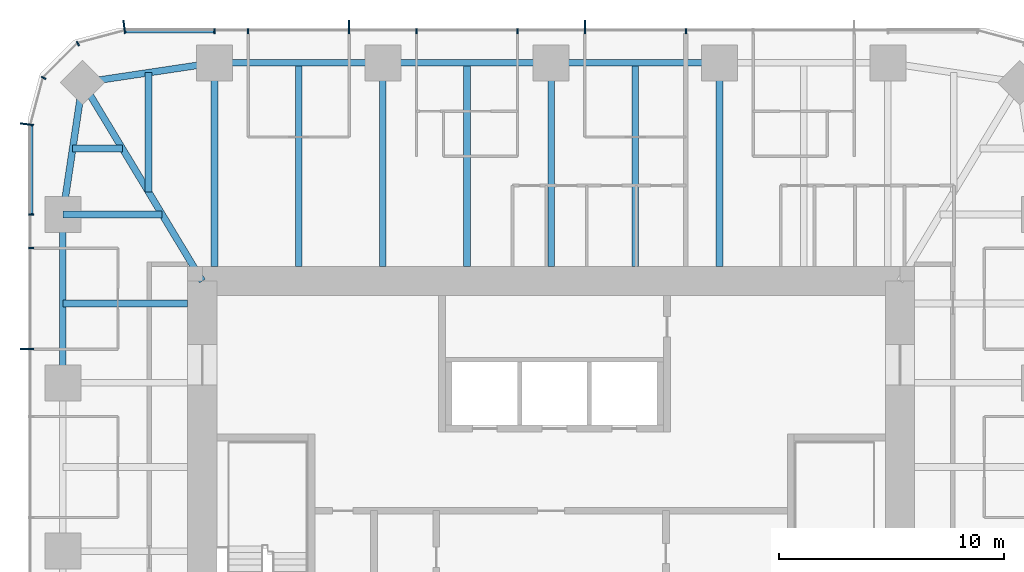
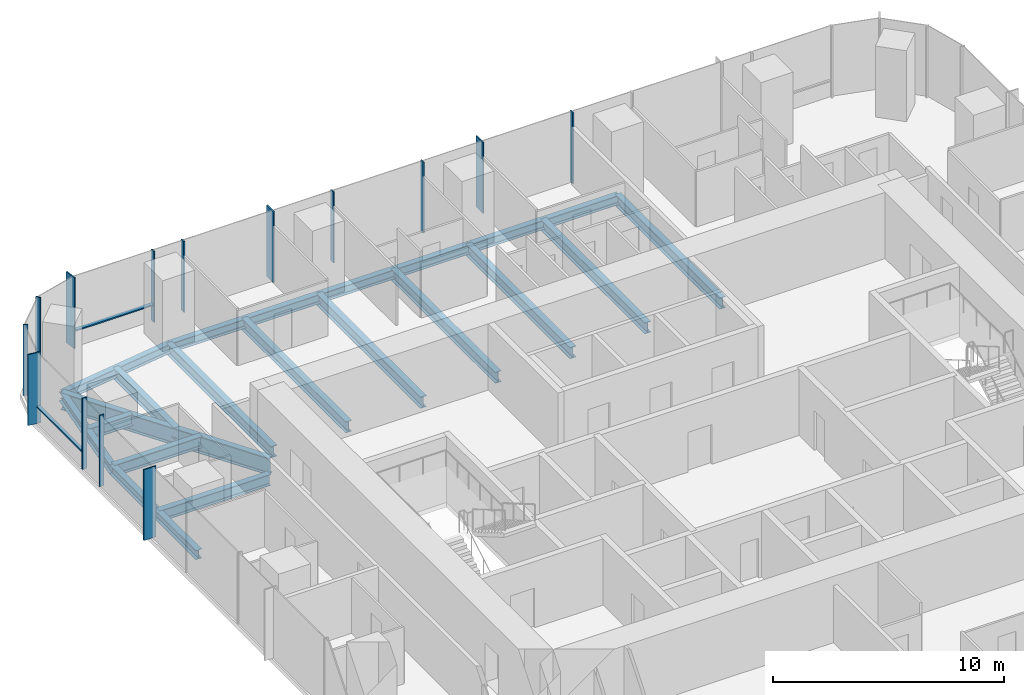
# One storey, part 5 of 12: 18 beams, 16 members, 3 elements without a shape of their own.
"""IFC4 building model written with IfcOpenShell, lengths in metres."""

from ifc_helpers import new_model, si_unit, direction, frame, origin, origin_2d, place, context, subcontext, project, spatial, rectangle, i_section, extrude, material, material_profile, profile_set, type_object, element, aggregate, save


model = new_model("IFC4")

# Units and contexts
model_context = context("Model", 3, precision=1e-05, world=origin(), true_north=direction((0.0, 1.0)))
body_context = subcontext(model_context, "Body", "Model", "MODEL_VIEW")
ifc_project = project(units=[si_unit("LENGTHUNIT", "METRE"), si_unit("AREAUNIT", "SQUARE_METRE"), si_unit("VOLUMEUNIT", "CUBIC_METRE"), si_unit("PLANEANGLEUNIT", "RADIAN"), si_unit("MASSUNIT", "GRAM", prefix="KILO")], contexts=[model_context])

# Site, building, storey
site_placement = place(None, origin())
site = spatial("IfcSite", under=ifc_project, at=site_placement, CompositionType="ELEMENT")
building_placement = place(site_placement, origin())
building = spatial("IfcBuilding", under=site, at=building_placement, Name="Khuree Lantern Residences", CompositionType="ELEMENT")
storey_placement = place(building_placement, frame((0.0, 0.0, 330.75)))
storey = spatial("IfcBuildingStorey", under=building, at=storey_placement, Name="L83", CompositionType="ELEMENT", Elevation=330.75)

# Beams
ifc_material_1 = material(Name="Steel S355", Category="steel")
ifc_material_profile_1 = material_profile(ifc_material_1, i_section(OverallWidth=0.300048828125, OverallDepth=0.590087890625, WebThickness=0.012939453125, FlangeThickness=0.02490234375, FilletRadius=0.027099609375, at=origin_2d()), Name="HE 600 A")
ifc_profile_set_1 = profile_set([ifc_material_profile_1], Name="Steel S355")
beam_type_1 = type_object("IfcBeamType", Name="B-44 SECONDARY BEAM HE 600 A", PredefinedType="BEAM", material=ifc_profile_set_1)
for number, where, z_axis, x_axis, name in (
    (1, (-11.219970703125, 21.699951171875, -0.544921875), (0.0, -1.0, 0.0), (1.0, 0.0, 0.0), "Secondary beam N1"),
    (2, (-3.739990234375, 21.699951171875, -0.544921875), (0.0, -1.0, 0.0), (1.0, 0.0, 0.0), "Secondary beam N2"),
    (3, (3.739990234375, 21.699951171875, -0.544921875), (0.0, -1.0, 0.0), (1.0, 0.0, 0.0), "Secondary beam N3"),
):
    element("IfcBeam", number, at=place(storey_placement, frame(where, z_axis=z_axis, x_axis=x_axis)), inside=storey, type_object=beam_type_1, Name=name, PredefinedType="BEAM", context=body_context, shape_type="SweptSolid", body=[
        extrude(i_section(OverallWidth=0.300048828125, OverallDepth=0.590087890625, WebThickness=0.012939453125, FlangeThickness=0.02490234375, FilletRadius=0.027099609375, at=origin_2d()), origin(), (0.0, 0.0, 1.0), 9.050048828125),
    ])
beam_1_placement = place(storey_placement, frame((-21.699951171875, 11.0, -0.544921875), z_axis=(1.0, 0.0, 0.0), x_axis=(0.0, 1.0, 0.0)))
element("IfcBeam", 4, at=beam_1_placement, inside=storey, type_object=beam_type_1, Name="Secondary beam W5", PredefinedType="BEAM", context=body_context, shape_type="SweptSolid", body=[
    extrude(i_section(OverallWidth=0.300048828125, OverallDepth=0.590087890625, WebThickness=0.012939453125, FlangeThickness=0.02490234375, FilletRadius=0.027099609375, at=origin_2d()), origin(), (0.0, 0.0, 1.0), 5.550048828125),
])
beam_2_placement = place(storey_placement, frame((-21.2607421875, 17.890625, -0.544921875), z_axis=(1.0, 0.0, 0.0), x_axis=(0.0, 1.0, 0.0)))
element("IfcBeam", 5, at=beam_2_placement, inside=storey, type_object=beam_type_1, Name="Secondary beam W6", PredefinedType="BEAM", context=body_context, shape_type="SweptSolid", body=[
    extrude(i_section(OverallWidth=0.300048828125, OverallDepth=0.590087890625, WebThickness=0.012939453125, FlangeThickness=0.02490234375, FilletRadius=0.027099609375, at=origin_2d()), origin(), (0.0, 0.0, 1.0), 2.207275390625),
])
beam_3_placement = place(storey_placement, frame((-17.890625, 21.2607421875, -0.544921875), z_axis=(0.0, -1.0, 0.0), x_axis=(1.0, 0.0, 0.0)))
element("IfcBeam", 6, at=beam_3_placement, inside=storey, type_object=beam_type_1, Name="Secondary beam N6", PredefinedType="BEAM", context=body_context, shape_type="SweptSolid", body=[
    extrude(i_section(OverallWidth=0.300048828125, OverallDepth=0.590087890625, WebThickness=0.012939453125, FlangeThickness=0.02490234375, FilletRadius=0.027099609375, at=origin_2d()), origin(), (0.0, 0.0, 1.0), 5.297607421875),
])
ifc_material_profile_2 = material_profile(ifc_material_1, i_section(OverallWidth=0.300048828125, OverallDepth=0.489990234375, WebThickness=0.011962890625, FlangeThickness=0.02294921875, FilletRadius=0.027099609375, at=origin_2d()), Name="HE 500 A")
ifc_profile_set_2 = profile_set([ifc_material_profile_2], Name="Steel S355")
beam_type_2 = type_object("IfcBeamType", Name="E-44 SPANDREL BEAM HE 500 A", PredefinedType="SPANDREL", material=ifc_profile_set_2)
for number, where, z_axis, x_axis, name in (
    (7, (-14.9599609375, 21.699951171875, -0.4951171875), (1.0, 0.0, 0.0), (0.0, 1.0, 0.0), "Spandrel beam N1"),
    (8, (-7.47998046875, 21.699951171875, -0.4951171875), (1.0, 0.0, 0.0), (0.0, 1.0, 0.0), "Spandrel beam N2"),
    (9, (0.0, 21.699951171875, -0.4951171875), (1.0, 0.0, 0.0), (0.0, 1.0, 0.0), "Spandrel beam N3"),
    (10, (-21.699951171875, 7.47998046875, -0.4951171875), (0.0, 1.0, 0.0), (-1.0, 0.0, 0.0), "Spandrel beam W5"),
):
    element("IfcBeam", number, at=place(storey_placement, frame(where, z_axis=z_axis, x_axis=x_axis)), inside=storey, type_object=beam_type_2, Name=name, PredefinedType="SPANDREL", context=body_context, shape_type="SweptSolid", body=[
        extrude(i_section(OverallWidth=0.300048828125, OverallDepth=0.489990234375, WebThickness=0.011962890625, FlangeThickness=0.02294921875, FilletRadius=0.027099609375, at=origin_2d()), origin(), (0.0, 0.0, 1.0), 7.47998046875),
    ])
for number, where, z_axis, x_axis, name in (
    (11, (-21.699951171875, 14.9599609375, -0.4951171875), (0.148251822985, 0.988949643299, 0.0), (-0.988949643299, 0.148251822985, 0.0), "Spandrel beam W6"),
    (12, (-20.8212890625, 20.8212890625, -0.4951171875), (0.988949643299, 0.148251822985, 0.0), (-0.148251822985, 0.988949643299, 0.0), "Spandrel beam N6"),
):
    element("IfcBeam", number, at=place(storey_placement, frame(where, z_axis=z_axis, x_axis=x_axis)), inside=storey, type_object=beam_type_2, Name=name, PredefinedType="SPANDREL", context=body_context, shape_type="SweptSolid", body=[
        extrude(i_section(OverallWidth=0.300048828125, OverallDepth=0.489990234375, WebThickness=0.011962890625, FlangeThickness=0.02294921875, FilletRadius=0.027099609375, at=origin_2d()), origin(), (0.0, 0.0, 1.0), 5.9267578125),
    ])

# Curtain wall, members
ifc_material_2 = material(Name="Bronze anodised aluminium", Category="aluminium")
curtain_wall_type_1 = type_object("IfcCurtainWallType", Name="CW-T1 TOWER FACE CURTAIN WALL", PredefinedType="USERDEFINED", material=ifc_material_2)
curtain_wall_1_placement = place(storey_placement, origin())
curtain_wall_1 = element("IfcCurtainWall", 13, at=curtain_wall_1_placement, inside=storey, type_object=curtain_wall_type_1, Name="L83 NORTH FACE CURTAIN WALL", ObjectType="Stick-built curtain wall", PredefinedType="USERDEFINED")
ifc_material_profile_3 = material_profile(ifc_material_2, rectangle(XDim=0.06494140625, YDim=0.60009765625, at=origin_2d()), Name="F1 65X600")
ifc_profile_set_3 = profile_set([ifc_material_profile_3], Name="Bronze anodised aluminium")
member_type_1 = type_object("IfcMemberType", Name="F1 BRONZE FIN MULLION TOWER 65X600", PredefinedType="MULLION", material=ifc_profile_set_3)
member_1_placement = place(storey_placement, frame((1.49609375, 23.300048828125, 0.0), z_axis=(0.0, 0.0, 1.0), x_axis=(-1.0, 0.0, 0.0)))
member_1 = element("IfcMember", 14, at=member_1_placement, type_object=member_type_1, Name="L83 NORTH FACE FIN MULLION 23", PredefinedType="MULLION", context=body_context, shape_type="SweptSolid", body=[
    extrude(rectangle(XDim=0.06494140625, YDim=0.60009765625, at=origin_2d()), origin(), (0.0, 0.0, 1.0), 3.75),
])
member_2_placement = place(storey_placement, frame((-8.97607421875, 23.300048828125, 0.0), z_axis=(0.0, 0.0, 1.0), x_axis=(-1.0, 0.0, 0.0)))
member_2 = element("IfcMember", 15, at=member_2_placement, type_object=member_type_1, Name="L83 NORTH FACE FIN MULLION 26", PredefinedType="MULLION", context=body_context, shape_type="SweptSolid", body=[
    extrude(rectangle(XDim=0.06494140625, YDim=0.60009765625, at=origin_2d()), origin(), (0.0, 0.0, 1.0), 3.75),
])

# Curtain wall, member
curtain_wall_type_2 = type_object("IfcCurtainWallType", Name="CW-T2 TOWER CORNER CURTAIN WALL", PredefinedType="USERDEFINED", material=ifc_material_2)
curtain_wall_2_placement = place(storey_placement, origin())
curtain_wall_2 = element("IfcCurtainWall", 16, at=curtain_wall_2_placement, inside=storey, type_object=curtain_wall_type_2, Name="L83 NORTH-WEST CORNER CURTAIN WALL", ObjectType="Faceted corner curtain wall", PredefinedType="USERDEFINED")
member_3_placement = place(storey_placement, frame((-18.9697265625, 23.300048828125, 0.0), z_axis=(0.0, 0.0, 1.0), x_axis=(-0.991444870192, -0.130526125236, 0.0)))
member_3 = element("IfcMember", 17, at=member_3_placement, type_object=member_type_1, Name="L83 NORTH-WEST CORNER FIN MULLION 29", PredefinedType="MULLION", context=body_context, shape_type="SweptSolid", body=[
    extrude(rectangle(XDim=0.06494140625, YDim=0.60009765625, at=origin_2d()), origin(), (0.0, 0.0, 1.0), 3.75),
])

# Curtain wall, members
curtain_wall_3_placement = place(storey_placement, origin())
curtain_wall_3 = element("IfcCurtainWall", 18, at=curtain_wall_3_placement, inside=storey, type_object=curtain_wall_type_1, Name="L83 WEST FACE CURTAIN WALL", ObjectType="Stick-built curtain wall", PredefinedType="USERDEFINED")
member_4_placement = place(storey_placement, frame((-23.300048828125, 18.9697265625, 0.0), z_axis=(0.0, 0.0, 1.0), x_axis=(-0.130526125236, -0.991444870192, 0.0)))
member_4 = element("IfcMember", 19, at=member_4_placement, type_object=member_type_1, Name="L83 WEST FACE FIN MULLION 32", PredefinedType="MULLION", context=body_context, shape_type="SweptSolid", body=[
    extrude(rectangle(XDim=0.06494140625, YDim=0.60009765625, at=origin_2d()), origin(), (0.0, 0.0, 1.0), 3.75),
])
member_5_placement = place(storey_placement, frame((-23.300048828125, 8.97607421875, 0.0), z_axis=(0.0, 0.0, 1.0), x_axis=(0.0, -1.0, 0.0)))
member_5 = element("IfcMember", 20, at=member_5_placement, type_object=member_type_1, Name="L83 WEST FACE FIN MULLION 35", PredefinedType="MULLION", context=body_context, shape_type="SweptSolid", body=[
    extrude(rectangle(XDim=0.06494140625, YDim=0.60009765625, at=origin_2d()), origin(), (0.0, 0.0, 1.0), 3.75),
])

# Beams
ifc_material_profile_4 = material_profile(ifc_material_1, i_section(OverallWidth=0.300048828125, OverallDepth=0.60009765625, WebThickness=0.015380859375, FlangeThickness=0.030029296875, FilletRadius=0.027099609375, at=origin_2d()), Name="HE 600 B")
ifc_profile_set_4 = profile_set([ifc_material_profile_4], Name="Steel S355")
beam_type_3 = type_object("IfcBeamType", Name="G-44 GIRDER HE 600 B", PredefinedType="BEAM", material=ifc_profile_set_4)
for number, where, z_axis, x_axis, name in (
    (21, (-14.9599609375, 21.699951171875, -0.550048828125), (0.0, -1.0, 0.0), (1.0, 0.0, 0.0), "Girder N1"),
    (22, (-7.47998046875, 21.699951171875, -0.550048828125), (0.0, -1.0, 0.0), (1.0, 0.0, 0.0), "Girder N2"),
    (23, (0.0, 21.699951171875, -0.550048828125), (0.0, -1.0, 0.0), (1.0, 0.0, 0.0), "Girder N3"),
    (24, (7.47998046875, 21.699951171875, -0.550048828125), (0.0, -1.0, 0.0), (1.0, 0.0, 0.0), "Girder N4"),
):
    element("IfcBeam", number, at=place(storey_placement, frame(where, z_axis=z_axis, x_axis=x_axis)), inside=storey, type_object=beam_type_3, Name=name, PredefinedType="BEAM", context=body_context, shape_type="SweptSolid", body=[
        extrude(i_section(OverallWidth=0.300048828125, OverallDepth=0.60009765625, WebThickness=0.015380859375, FlangeThickness=0.030029296875, FilletRadius=0.027099609375, at=origin_2d()), origin(), (0.0, 0.0, 1.0), 9.050048828125),
    ])
beam_4_placement = place(storey_placement, frame((-21.699951171875, 14.9599609375, -0.550048828125), z_axis=(1.0, 0.0, 0.0), x_axis=(0.0, 1.0, 0.0)))
element("IfcBeam", 25, at=beam_4_placement, inside=storey, type_object=beam_type_3, Name="Girder W5", PredefinedType="BEAM", context=body_context, shape_type="SweptSolid", body=[
    extrude(i_section(OverallWidth=0.300048828125, OverallDepth=0.60009765625, WebThickness=0.015380859375, FlangeThickness=0.030029296875, FilletRadius=0.027099609375, at=origin_2d()), origin(), (0.0, 0.0, 1.0), 4.414306640625),
])
ifc_material_profile_5 = material_profile(ifc_material_1, i_section(OverallWidth=0.300048828125, OverallDepth=0.89990234375, WebThickness=0.0185546875, FlangeThickness=0.034912109375, FilletRadius=0.030029296875, at=origin_2d()), Name="HE 900 B")
ifc_profile_set_5 = profile_set([ifc_material_profile_5], Name="Steel S355")
beam_type_4 = type_object("IfcBeamType", Name="GD-44 CORNER GIRDER HE 900 B", PredefinedType="BEAM", material=ifc_profile_set_5)
beam_5_placement = place(storey_placement, frame((-20.8212890625, 20.8212890625, -0.699951171875), z_axis=(0.516529577604, -0.856269347495, 0.0), x_axis=(0.856269347495, 0.516529577604, 0.0)))
element("IfcBeam", 26, at=beam_5_placement, inside=storey, type_object=beam_type_4, Name="Corner girder NW", PredefinedType="BEAM", context=body_context, shape_type="SweptSolid", body=[
    extrude(i_section(OverallWidth=0.300048828125, OverallDepth=0.89990234375, WebThickness=0.0185546875, FlangeThickness=0.034912109375, FilletRadius=0.030029296875, at=origin_2d()), origin(), (0.0, 0.0, 1.0), 10.302001953125),
])

# Member
ifc_material_profile_6 = material_profile(ifc_material_2, rectangle(XDim=0.06494140625, YDim=0.219970703125, at=origin_2d()), Name="M1 65X220")
ifc_profile_set_6 = profile_set([ifc_material_profile_6], Name="Bronze anodised aluminium")
member_type_2 = type_object("IfcMemberType", Name="M1 BRONZE MULLION TOWER 65X220", PredefinedType="MULLION", material=ifc_profile_set_6)
member_6_placement = place(storey_placement, frame((5.98388671875, 23.110107421875, 0.0), z_axis=(0.0, 0.0, 1.0), x_axis=(-1.0, 0.0, 0.0)))
member_6 = element("IfcMember", 27, at=member_6_placement, type_object=member_type_2, Name="L83 NORTH FACE MULLION 22", PredefinedType="MULLION", context=body_context, shape_type="SweptSolid", body=[
    extrude(rectangle(XDim=0.06494140625, YDim=0.219970703125, at=origin_2d()), origin(), (0.0, 0.0, 1.0), 3.75),
])

member_7_placement = place(storey_placement, frame((-1.49609375, 23.110107421875, 0.0), z_axis=(0.0, 0.0, 1.0), x_axis=(-1.0, 0.0, 0.0)))
member_7 = element("IfcMember", 28, at=member_7_placement, type_object=member_type_2, Name="L83 NORTH FACE MULLION 24", PredefinedType="MULLION", context=body_context, shape_type="SweptSolid", body=[
    extrude(rectangle(XDim=0.06494140625, YDim=0.219970703125, at=origin_2d()), origin(), (0.0, 0.0, 1.0), 3.75),
])

member_8_placement = place(storey_placement, frame((-5.98388671875, 23.110107421875, 0.0), z_axis=(0.0, 0.0, 1.0), x_axis=(-1.0, 0.0, 0.0)))
member_8 = element("IfcMember", 29, at=member_8_placement, type_object=member_type_2, Name="L83 NORTH FACE MULLION 25", PredefinedType="MULLION", context=body_context, shape_type="SweptSolid", body=[
    extrude(rectangle(XDim=0.06494140625, YDim=0.219970703125, at=origin_2d()), origin(), (0.0, 0.0, 1.0), 3.75),
])

member_9_placement = place(storey_placement, frame((-13.464111328125, 23.110107421875, 0.0), z_axis=(0.0, 0.0, 1.0), x_axis=(-1.0, 0.0, 0.0)))
member_9 = element("IfcMember", 30, at=member_9_placement, type_object=member_type_2, Name="L83 NORTH FACE MULLION 27", PredefinedType="MULLION", context=body_context, shape_type="SweptSolid", body=[
    extrude(rectangle(XDim=0.06494140625, YDim=0.219970703125, at=origin_2d()), origin(), (0.0, 0.0, 1.0), 3.75),
])

member_10_placement = place(storey_placement, frame((-14.9599609375, 23.110107421875, 0.0), z_axis=(0.0, 0.0, 1.0), x_axis=(-1.0, 0.0, 0.0)))
member_10 = element("IfcMember", 31, at=member_10_placement, type_object=member_type_2, Name="L83 NORTH FACE MULLION 28", PredefinedType="MULLION", context=body_context, shape_type="SweptSolid", body=[
    extrude(rectangle(XDim=0.06494140625, YDim=0.219970703125, at=origin_2d()), origin(), (0.0, 0.0, 1.0), 3.75),
])

member_11_placement = place(storey_placement, frame((-21.030029296875, 22.552734375, 0.0), z_axis=(0.0, 0.0, 1.0), x_axis=(-0.866025437565, -0.49999994149, 0.0)))
member_11 = element("IfcMember", 32, at=member_11_placement, type_object=member_type_2, Name="L83 NORTH-WEST CORNER MULLION 30", PredefinedType="MULLION", context=body_context, shape_type="SweptSolid", body=[
    extrude(rectangle(XDim=0.06494140625, YDim=0.219970703125, at=origin_2d()), origin(), (0.0, 0.0, 1.0), 3.75),
])

member_12_placement = place(storey_placement, frame((-22.552734375, 21.030029296875, 0.0), z_axis=(0.0, 0.0, 1.0), x_axis=(-0.49999994149, -0.866025437565, 0.0)))
member_12 = element("IfcMember", 33, at=member_12_placement, type_object=member_type_2, Name="L83 NORTH-WEST CORNER MULLION 31", PredefinedType="MULLION", context=body_context, shape_type="SweptSolid", body=[
    extrude(rectangle(XDim=0.06494140625, YDim=0.219970703125, at=origin_2d()), origin(), (0.0, 0.0, 1.0), 3.75),
])

aggregate(curtain_wall_2, [member_3, member_11, member_12])

member_13_placement = place(storey_placement, frame((-23.110107421875, 14.9599609375, 0.0), z_axis=(0.0, 0.0, 1.0), x_axis=(0.0, -1.0, 0.0)))
member_13 = element("IfcMember", 34, at=member_13_placement, type_object=member_type_2, Name="L83 WEST FACE MULLION 33", PredefinedType="MULLION", context=body_context, shape_type="SweptSolid", body=[
    extrude(rectangle(XDim=0.06494140625, YDim=0.219970703125, at=origin_2d()), origin(), (0.0, 0.0, 1.0), 3.75),
])

member_14_placement = place(storey_placement, frame((-23.110107421875, 13.464111328125, 0.0), z_axis=(0.0, 0.0, 1.0), x_axis=(0.0, -1.0, 0.0)))
member_14 = element("IfcMember", 35, at=member_14_placement, type_object=member_type_2, Name="L83 WEST FACE MULLION 34", PredefinedType="MULLION", context=body_context, shape_type="SweptSolid", body=[
    extrude(rectangle(XDim=0.06494140625, YDim=0.219970703125, at=origin_2d()), origin(), (0.0, 0.0, 1.0), 3.75),
])

ifc_material_profile_7 = material_profile(ifc_material_2, rectangle(XDim=0.179931640625, YDim=0.06494140625, at=origin_2d()), Name="T1 180X65")
ifc_profile_set_7 = profile_set([ifc_material_profile_7], Name="Bronze anodised aluminium")
member_type_3 = type_object("IfcMemberType", Name="TRANSOM T1 TOWER 180X65", PredefinedType="USERDEFINED", material=ifc_profile_set_7)
member_15_placement = place(storey_placement, frame((-14.992431640625, 23.1201171875, 0.89990234375), z_axis=(-1.0, 0.0, 0.0), x_axis=(0.0, -1.0, 0.0)))
member_15 = element("IfcMember", 36, at=member_15_placement, type_object=member_type_3, Name="L83 NORTH FACE TRANSOM 28.1", ObjectType="Transom", PredefinedType="USERDEFINED", context=body_context, shape_type="SweptSolid", body=[
    extrude(rectangle(XDim=0.179931640625, YDim=0.06494140625, at=origin_2d()), origin(), (0.0, 0.0, 1.0), 3.908935546875),
])

aggregate(curtain_wall_1, [member_6, member_1, member_7, member_8, member_2, member_9, member_10, member_15])

member_16_placement = place(storey_placement, frame((-23.1201171875, 18.9013671875, 0.89990234375), z_axis=(0.0, -1.0, 0.0), x_axis=(1.0, 0.0, 0.0)))
member_16 = element("IfcMember", 37, at=member_16_placement, type_object=member_type_3, Name="L83 WEST FACE TRANSOM 32.1", ObjectType="Transom", PredefinedType="USERDEFINED", context=body_context, shape_type="SweptSolid", body=[
    extrude(rectangle(XDim=0.179931640625, YDim=0.06494140625, at=origin_2d()), origin(), (0.0, 0.0, 1.0), 3.908935546875),
])

aggregate(curtain_wall_3, [member_4, member_13, member_14, member_5, member_16])

save(model, "model.ifc")
